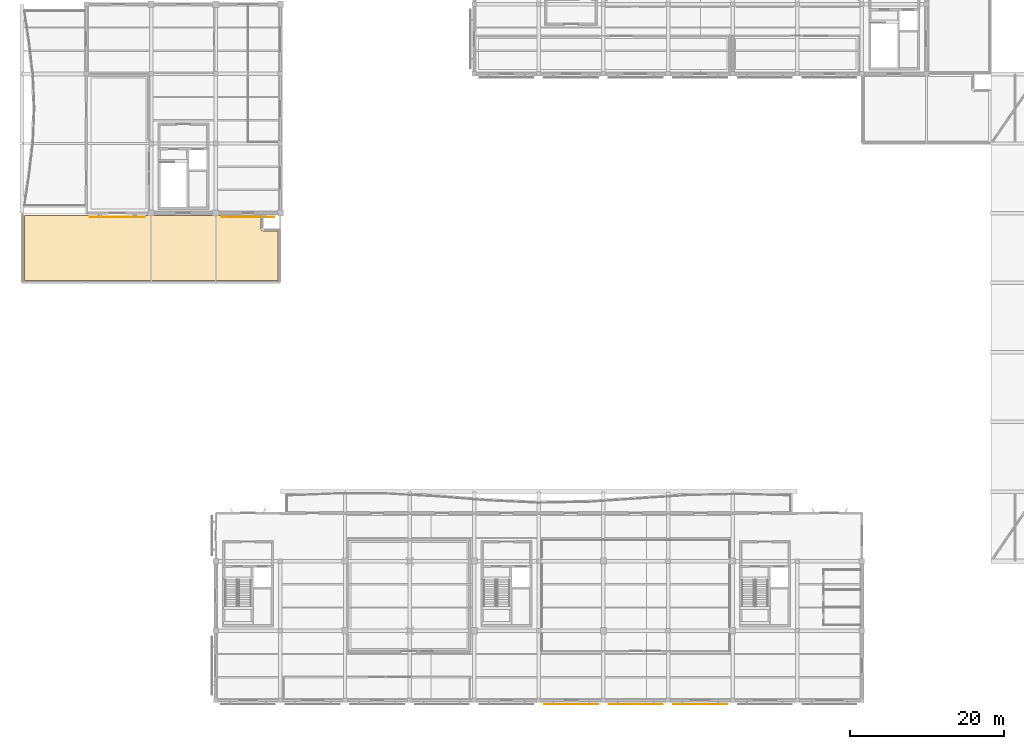
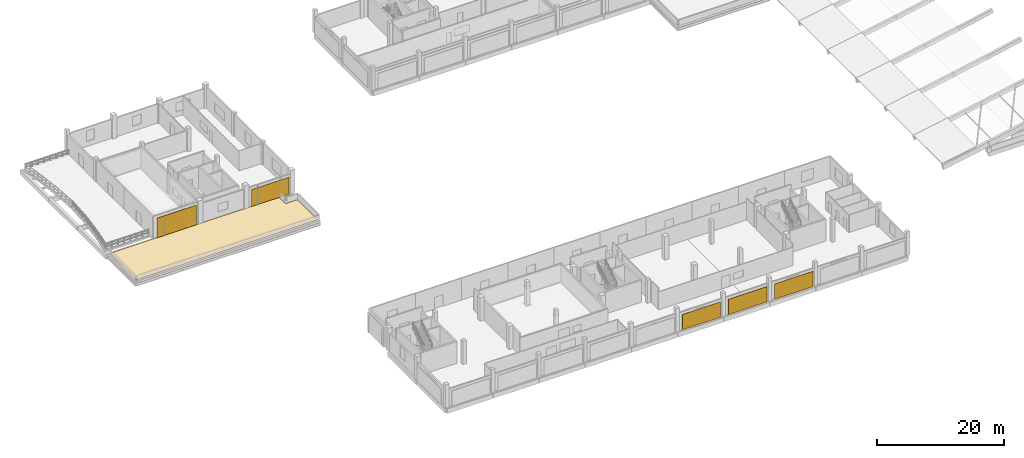
# One storey, part 26 of 34: 5 shading devices, 1 covering.
"""IFC4 building model written with IfcOpenShell, lengths in metres."""

from ifc_helpers import new_model, si_unit, direction, frame, origin, origin_2d, place, context, subcontext, project, spatial, polyline, rectangle, outline, extrude, material, layer, layer_set, type_object, element, save


model = new_model("IFC4")

# Units and contexts
model_context = context("Model", 3, precision=1e-05, world=origin(), true_north=direction((0.0, 1.0)))
body_context = subcontext(model_context, "Body", "Model", "MODEL_VIEW")
ifc_project = project(units=[si_unit("LENGTHUNIT", "METRE"), si_unit("AREAUNIT", "SQUARE_METRE"), si_unit("VOLUMEUNIT", "CUBIC_METRE"), si_unit("PLANEANGLEUNIT", "RADIAN"), si_unit("MASSUNIT", "GRAM", prefix="KILO")], contexts=[model_context])

# Site, building, storey
site_placement = place(None, origin())
site = spatial("IfcSite", under=ifc_project, at=site_placement, CompositionType="ELEMENT")
building_placement = place(site_placement, origin())
building = spatial("IfcBuilding", under=site, at=building_placement, Name="Khurvash Pelagic Aquarium", CompositionType="ELEMENT")
storey_placement = place(building_placement, frame((0.0, 0.0, 15.60009765625)))
storey = spatial("IfcBuildingStorey", under=building, at=storey_placement, Name="L03", CompositionType="ELEMENT", Elevation=15.60009765625)

# Covering
ifc_material_1 = material(Name="TPO waterproof membrane and XPS rigid insulation", Category="insulation")
ifc_layer_1 = layer(ifc_material_1, 0.080078125)
ifc_layer_set_1 = layer_set([ifc_layer_1], Name="TPO waterproof membrane and XPS rigid insulation")
covering_type = type_object("IfcCoveringType", Name="CV-RF01", PredefinedType="ROOFING", material=ifc_layer_set_1)
covering_placement = place(storey_placement, origin())
element("IfcCovering", 1, at=covering_placement, inside=storey, type_object=covering_type, Name="L03 Insulated TPO Roof Membrane SLB-ROOF-L03-1-1", PredefinedType="ROOFING", context=body_context, shape_type="SweptSolid", body=[
    extrude(outline(polyline([(33.280029296875, 57.219970703125), (0.320068359375, 57.219970703125), (0.320068359375, 65.6298828125), (31.080078125, 65.6298828125), (31.080078125, 63.949951171875), (31.08203125, 63.9189453125), (31.0859375, 63.887939453125), (31.093994140625, 63.85693359375), (31.10400390625, 63.827880859375), (31.117919921875, 63.799072265625), (31.134033203125, 63.77197265625), (31.153076171875, 63.7470703125), (31.174072265625, 63.72412109375), (31.197021484375, 63.702880859375), (31.221923828125, 63.68408203125), (31.2490234375, 63.66796875), (31.278076171875, 63.654052734375), (31.306884765625, 63.64404296875), (31.337890625, 63.635986328125), (31.368896484375, 63.632080078125), (31.39990234375, 63.6298828125), (33.280029296875, 63.6298828125), (33.280029296875, 57.219970703125)])), origin(), (0.0, 0.0, 1.0), 0.079833984375),
])

# Shading devices
ifc_material_2 = material(Name="Perforated anodised aluminium AW-5005", Category="aluminium")
ifc_layer_2 = layer(ifc_material_2, 0.06005859375)
ifc_layer_set_2 = layer_set([ifc_layer_2], Name="Perforated anodised aluminium AW-5005")
shading_device_type = type_object("IfcShadingDeviceType", Name="SH-JAL", PredefinedType="JALOUSIE", material=ifc_layer_set_2)
for number, where, z_axis, x_axis, name in (
    (2, (71.39990234375, 2.10009765625, 0.19970703125), (0.0, 0.0, 1.0), (1.0, 0.0, 0.0), "L03 Perforated Aluminium Jali Screen SH-JAL 0038"),
    (3, (79.800048828125, 2.10009765625, 0.19970703125), (0.0, 0.0, 1.0), (1.0, 0.0, 0.0), "L03 Perforated Aluminium Jali Screen SH-JAL 0039"),
    (4, (88.199951171875, 2.10009765625, 0.19970703125), (0.0, 0.0, 1.0), (1.0, 0.0, 0.0), "L03 Perforated Aluminium Jali Screen SH-JAL 0040"),
):
    element("IfcShadingDevice", number, at=place(storey_placement, frame(where, z_axis=z_axis, x_axis=x_axis)), inside=storey, type_object=shading_device_type, Name=name, PredefinedType="JALOUSIE", context=body_context, shape_type="SweptSolid", body=[
        extrude(rectangle(XDim=6.989990234375, YDim=0.06005859375, at=origin_2d()), origin(), (0.0, 0.0, 1.0), 2.929931640625),
    ])
shading_device_1_placement = place(storey_placement, frame((12.39794921875, 65.449951171875, 0.19970703125), z_axis=(0.0, 0.0, 1.0), x_axis=(1.0, 0.0, 0.0)))
element("IfcShadingDevice", 5, at=shading_device_1_placement, inside=storey, type_object=shading_device_type, Name="L03 Perforated Aluminium Jali Screen SH-JAL 0045", PredefinedType="JALOUSIE", context=body_context, shape_type="SweptSolid", body=[
    extrude(rectangle(XDim=7.195068359375, YDim=0.06005859375, at=origin_2d()), origin(), (0.0, 0.0, 1.0), 3.800048828125),
])
shading_device_2_placement = place(storey_placement, frame((29.39990234375, 65.449951171875, 0.199951171875), z_axis=(0.0, 0.0, 1.0), x_axis=(1.0, 0.0, 0.0)))
element("IfcShadingDevice", 6, at=shading_device_2_placement, inside=storey, type_object=shading_device_type, Name="L03 Perforated Aluminium Jali Screen SH-JAL 0046", PredefinedType="JALOUSIE", context=body_context, shape_type="SweptSolid", body=[
    extrude(rectangle(XDim=6.7900390625, YDim=0.06005859375, at=origin_2d()), origin(), (0.0, 0.0, 1.0), 3.25),
])

save(model, "model.ifc")
